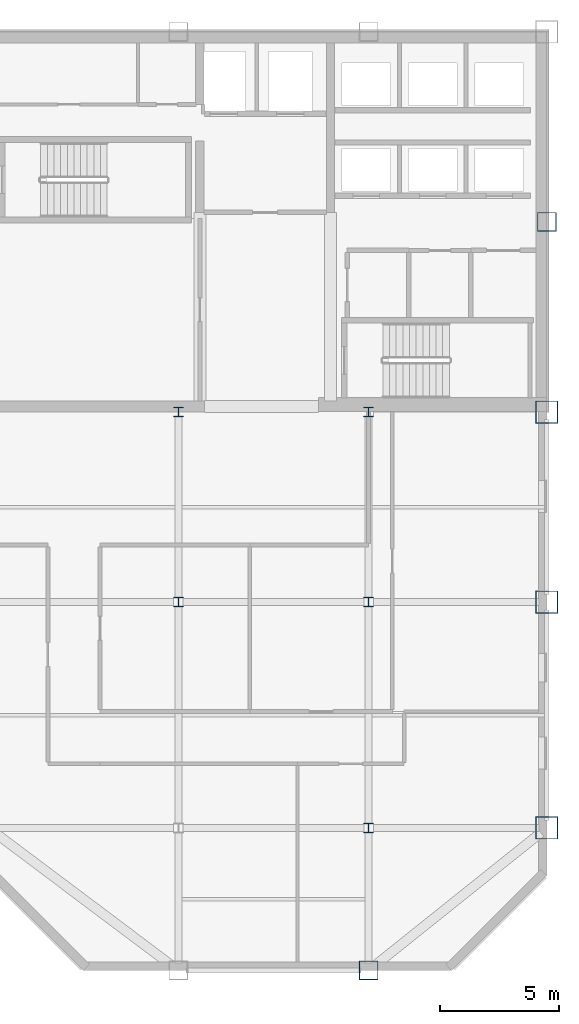
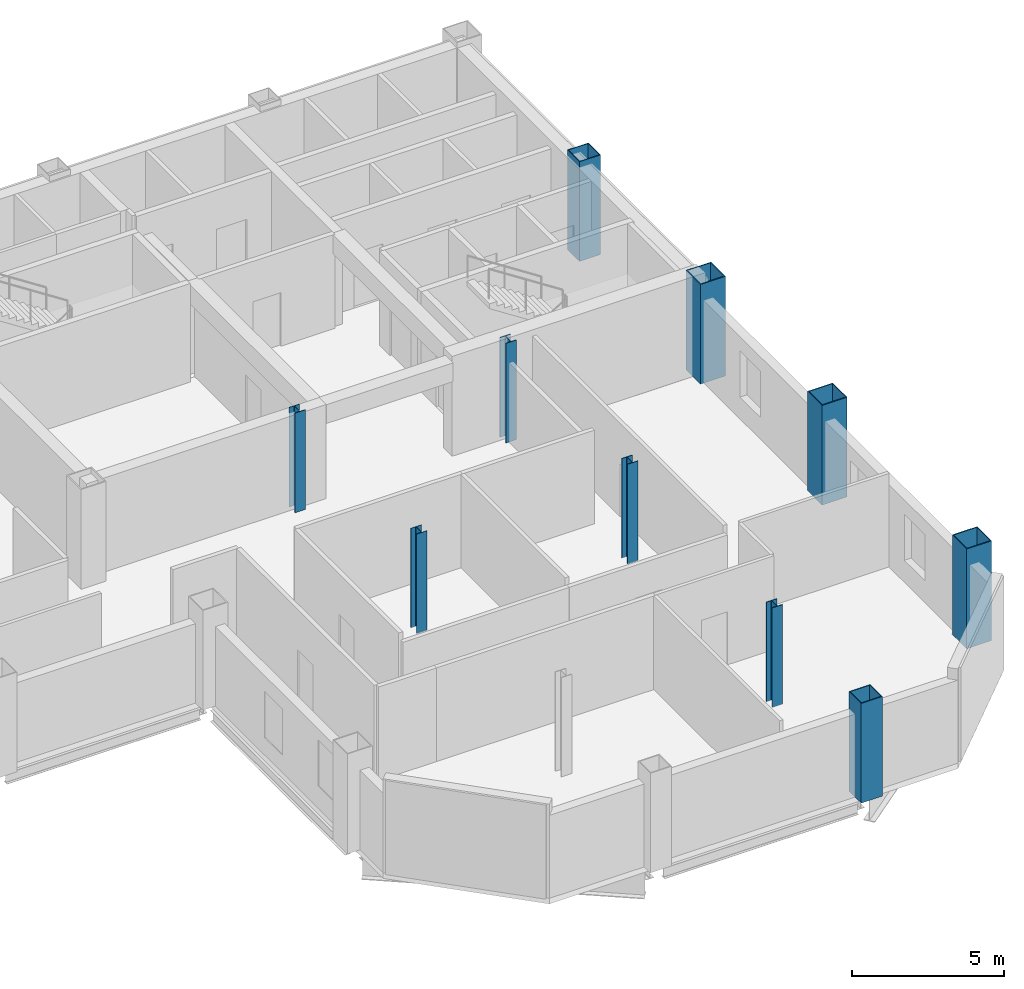
# One storey, part 2 of 10: 10 columns.
"""IFC4 building model written with IfcOpenShell, lengths in metres."""

from ifc_helpers import new_model, si_unit, direction, frame, origin, origin_2d, place, context, subcontext, project, spatial, hollow_rectangle, i_section, extrude, material, material_profile, profile_set, type_object, element, save


model = new_model("IFC4")

# Units and contexts
model_context = context("Model", 3, precision=1e-05, world=origin(), true_north=direction((0.0, 1.0)))
body_context = subcontext(model_context, "Body", "Model", "MODEL_VIEW")
ifc_project = project(units=[si_unit("LENGTHUNIT", "METRE"), si_unit("AREAUNIT", "SQUARE_METRE"), si_unit("VOLUMEUNIT", "CUBIC_METRE"), si_unit("PLANEANGLEUNIT", "RADIAN"), si_unit("MASSUNIT", "GRAM", prefix="KILO")], contexts=[model_context])

# Site, building, storey
site_placement = place(None, origin())
site = spatial("IfcSite", under=ifc_project, at=site_placement, CompositionType="ELEMENT")
building_placement = place(site_placement, origin())
building = spatial("IfcBuilding", under=site, at=building_placement, Name="Qianrong Seaharbour Tower", CompositionType="ELEMENT")
storey_placement = place(building_placement, frame((0.0, 0.0, 241.800048828125)))
storey = spatial("IfcBuildingStorey", under=building, at=storey_placement, Name="L58", CompositionType="ELEMENT", Elevation=241.800048828125)

# Columns
ifc_material = material(Name="Structural steel SN490B", Category="steel")
ifc_material_profile_1 = material_profile(ifc_material, hollow_rectangle(XDim=0.949951171875, YDim=0.949951171875, WallThickness=0.035888671875, at=origin_2d()), Name="BOX950x950x36")
ifc_profile_set_1 = profile_set([ifc_material_profile_1], Name="Structural steel SN490B")
column_type_1 = type_object("IfcColumnType", Name="COL-CFT-950", PredefinedType="COLUMN", material=ifc_profile_set_1)
for number, where, z_axis, x_axis, name in (
    (1, (64.0, 18.5, 0.0), (0.0, 0.0, 1.0), (1.0, 0.0, 0.0), "L58 Column MC-4 at G9/GD"),
    (2, (64.0, 28.0, 0.0), (0.0, 0.0, 1.0), (1.0, 0.0, 0.0), "L58 Column MC-4 at G9/GE"),
    (3, (64.0, 36.0, 0.0), (0.0, 0.0, 1.0), (1.0, 0.0, 0.0), "L58 Column MC-4 at G9/GF"),
):
    element("IfcColumn", number, at=place(storey_placement, frame(where, z_axis=z_axis, x_axis=x_axis)), inside=storey, type_object=column_type_1, Name=name, PredefinedType="COLUMN", context=body_context, shape_type="SweptSolid", body=[
        extrude(hollow_rectangle(XDim=0.949951171875, YDim=0.949951171875, WallThickness=0.035888671875, at=origin_2d()), origin(), (0.0, 0.0, 1.0), 4.0),
    ])
ifc_material_profile_2 = material_profile(ifc_material, i_section(OverallWidth=0.39990234375, OverallDepth=0.39990234375, WebThickness=0.012939453125, FlangeThickness=0.02099609375, FilletRadius=0.02197265625, at=origin_2d()), Name="H400x400x13x21")
ifc_profile_set_2 = profile_set([ifc_material_profile_2], Name="Structural steel SN490B")
column_type_2 = type_object("IfcColumnType", Name="COL-INT-H400", PredefinedType="COLUMN", material=ifc_profile_set_2)
for number, where, z_axis, x_axis, name in (
    (4, (48.5, 28.0, 0.0), (0.0, 0.0, 1.0), (1.0, 0.0, 0.0), "L58 Column IC-3 at G7/GE"),
    (5, (48.5, 36.0, 0.0), (0.0, 0.0, 1.0), (1.0, 0.0, 0.0), "L58 Column IC-3 at G7/GF"),
    (6, (56.5, 18.5, 0.0), (0.0, 0.0, 1.0), (1.0, 0.0, 0.0), "L58 Column IC-3 at G8/GD"),
    (7, (56.5, 28.0, 0.0), (0.0, 0.0, 1.0), (1.0, 0.0, 0.0), "L58 Column IC-3 at G8/GE"),
    (8, (56.5, 36.0, 0.0), (0.0, 0.0, 1.0), (1.0, 0.0, 0.0), "L58 Column IC-3 at G8/GF"),
):
    element("IfcColumn", number, at=place(storey_placement, frame(where, z_axis=z_axis, x_axis=x_axis)), inside=storey, type_object=column_type_2, Name=name, PredefinedType="COLUMN", context=body_context, shape_type="SweptSolid", body=[
        extrude(i_section(OverallWidth=0.39990234375, OverallDepth=0.39990234375, WebThickness=0.012939453125, FlangeThickness=0.02099609375, FilletRadius=0.02197265625, at=origin_2d()), origin(), (0.0, 0.0, 1.0), 4.0),
    ])
ifc_material_profile_3 = material_profile(ifc_material, hollow_rectangle(XDim=0.800048828125, YDim=0.800048828125, WallThickness=0.031982421875, at=origin_2d()), Name="BOX800x800x32")
ifc_profile_set_3 = profile_set([ifc_material_profile_3], Name="Structural steel SN490B")
column_type_3 = type_object("IfcColumnType", Name="COL-PER-800", PredefinedType="COLUMN", material=ifc_profile_set_3)
for number, where, z_axis, x_axis, name in (
    (9, (56.5, 12.5, 0.0), (0.0, 0.0, 1.0), (1.0, 0.0, 0.0), "L58 Column PC-3 at G8/GC"),
    (10, (64.0, 44.0, 0.0), (0.0, 0.0, 1.0), (1.0, 0.0, 0.0), "L58 Column PC-3 at G9/GG"),
):
    element("IfcColumn", number, at=place(storey_placement, frame(where, z_axis=z_axis, x_axis=x_axis)), inside=storey, type_object=column_type_3, Name=name, PredefinedType="COLUMN", context=body_context, shape_type="SweptSolid", body=[
        extrude(hollow_rectangle(XDim=0.800048828125, YDim=0.800048828125, WallThickness=0.031982421875, at=origin_2d()), origin(), (0.0, 0.0, 1.0), 4.0),
    ])

save(model, "model.ifc")
